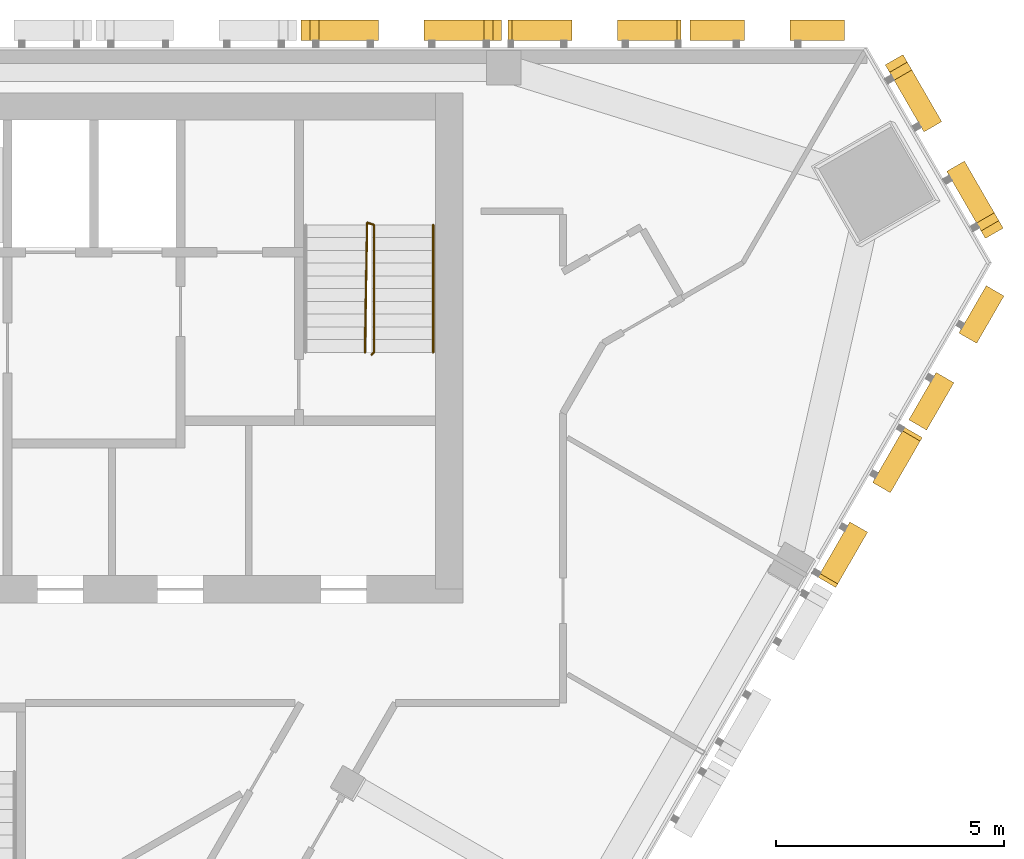
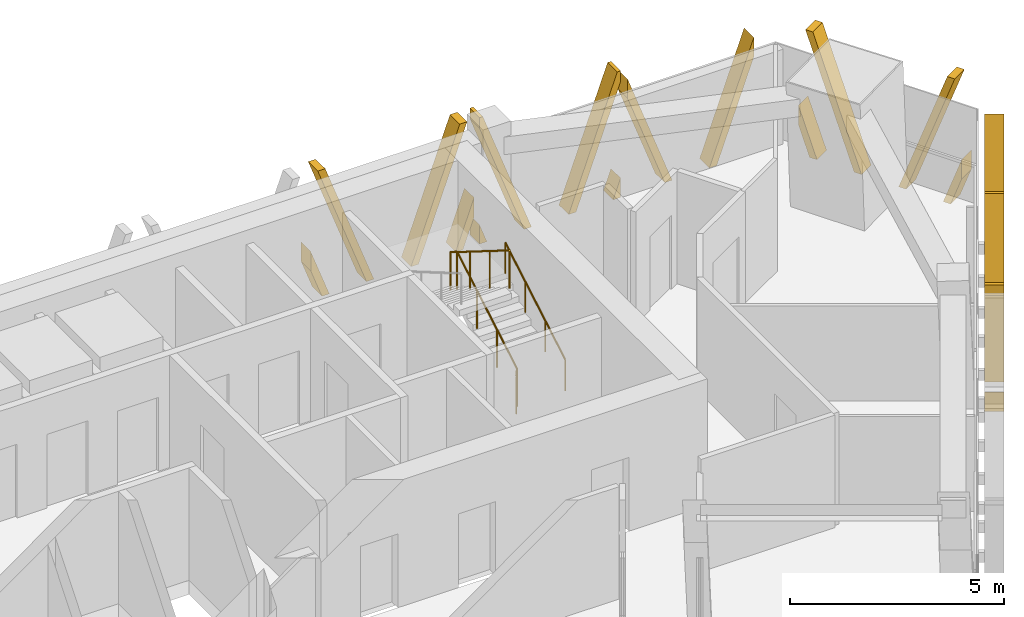
# One storey, part 13 of 14: 6 shading devices, 2 railings.
"""IFC4 building model written with IfcOpenShell, lengths in metres."""

import ifcopenshell
import ifcopenshell.guid

model = None  # the IFC model being written
_history = None  # IfcOwnerHistory: only IFC2X3 demands one
_inside = {}  # id of a spatial element -> (the spatial element, [elements in it])
_under = {}  # id of a project, library or spatial element -> (it, [spatial elements below it])
_declared = {}  # id of a project -> (the project, [libraries it declares])
_typed = {}  # id of a type object -> (the type object, [elements of that type])
_made_of = {}  # id of a material, layer set ... -> (it, [elements and type objects made of it])


def new_model(schema):
    """Start an empty IFC model of exactly this schema.

    Asked for "IFC4X3", IfcOpenShell would pick the latest addendum, in which some entities
    have other attributes; the version numbers below select the first issue.
    IFC2X3 requires an IfcOwnerHistory on every rooted entity: one is made here for all.
    """
    global model, _history
    if schema == "IFC4X3":
        model = ifcopenshell.file(schema_version=(4, 3, 0, 0))
    else:
        model = ifcopenshell.file(schema=schema)
    _inside.clear()
    _under.clear()
    _declared.clear()
    _typed.clear()
    _made_of.clear()
    _history = None
    if model.schema == "IFC2X3":
        org = make("IfcOrganization", Name="unknown")
        user = make(
            "IfcPersonAndOrganization",
            ThePerson=make("IfcPerson", FamilyName="unknown"),
            TheOrganization=org,
        )
        app = make(
            "IfcApplication",
            ApplicationDeveloper=org,
            Version="unknown",
            ApplicationFullName="unknown",
            ApplicationIdentifier="unknown",
        )
        _history = make(
            "IfcOwnerHistory",
            OwningUser=user,
            OwningApplication=app,
            ChangeAction="ADDED",
            CreationDate=0,
        )
    return model


def make(cls, **values):
    """One entity of the class cls with the attributes given. An attribute that is None is left unset."""
    return model.create_entity(
        cls, **{name: value for name, value in values.items() if value is not None}
    )


def rooted(cls, **values):
    """An entity with a GlobalId (a new one), such as an element, a storey or a relation."""
    return make(cls, GlobalId=ifcopenshell.guid.new(), OwnerHistory=_history, **values)


def si_unit(unit_type, name, prefix=None):
    """IfcSIUnit, for example si_unit("LENGTHUNIT", "METRE", prefix="MILLI")."""
    return make("IfcSIUnit", UnitType=unit_type, Prefix=prefix, Name=name)


def assignment(units):
    """IfcUnitAssignment: the units of a project."""
    return None if units is None else make("IfcUnitAssignment", Units=units)


def point(xyz):
    """IfcCartesianPoint."""
    return None if xyz is None else make("IfcCartesianPoint", Coordinates=xyz)


def direction(xyz):
    """IfcDirection."""
    return None if xyz is None else make("IfcDirection", DirectionRatios=xyz)


def frame(location, z_axis=None, x_axis=None):
    """IfcAxis2Placement3D, a coordinate frame: its origin and axes. An axis left out is left unset."""
    return make(
        "IfcAxis2Placement3D",
        Location=point(location),
        Axis=direction(z_axis),
        RefDirection=direction(x_axis),
    )


def frame_2d(location, x_axis=None):
    """IfcAxis2Placement2D, a coordinate frame in the plane: its origin and x axis."""
    return make(
        "IfcAxis2Placement2D", Location=point(location), RefDirection=direction(x_axis)
    )


def origin():
    """The frame at (0, 0, 0) with its axes left unset."""
    return frame((0.0, 0.0, 0.0))


def origin_2d():
    """The frame at (0, 0) in the plane with its x axis left unset."""
    return frame_2d((0.0, 0.0))


def place(relative_to, where):
    """IfcLocalPlacement: puts the frame where relative to a parent placement (None: the world)."""
    return make(
        "IfcLocalPlacement", PlacementRelTo=relative_to, RelativePlacement=where
    )


def context(
    kind, dimensions, precision=None, world=None, true_north=None, identifier=None
):
    """IfcGeometricRepresentationContext, for example the 3D "Model" context."""
    return make(
        "IfcGeometricRepresentationContext",
        ContextIdentifier=identifier,
        ContextType=kind,
        CoordinateSpaceDimension=dimensions,
        Precision=precision,
        WorldCoordinateSystem=world,
        TrueNorth=true_north,
    )


def subcontext(parent, identifier, kind, view, scale=None):
    """IfcGeometricRepresentationSubContext, for example "Body" below "Model"."""
    return make(
        "IfcGeometricRepresentationSubContext",
        ContextIdentifier=identifier,
        ContextType=kind,
        ParentContext=parent,
        TargetScale=scale,
        TargetView=view,
    )


def project(units=None, contexts=None):
    """IfcProject with its units and contexts."""
    return rooted(
        "IfcProject",
        Name="project",
        RepresentationContexts=contexts,
        UnitsInContext=assignment(units),
    )


def spatial(cls, under=None, at=None, **own):
    """A site, building, storey or space (cls), placed at a placement, below another one or the project."""
    s = rooted(cls, ObjectPlacement=at, **own)
    if under is not None:
        _under.setdefault(under.id(), (under, []))[1].append(s)
    return s


def polyline(points):
    """IfcPolyline through the points."""
    return make("IfcPolyline", Points=[point(p) for p in points])


def profile(cls, at=None, kind="AREA", **sizes):
    """A parametric profile (cls). Its sizes go by their IFC names, for example OverallWidth=200.0."""
    return make(cls, ProfileType=kind, Position=at, **sizes)


def circle(**sizes):
    """IfcCircleProfileDef."""
    return profile("IfcCircleProfileDef", **sizes)


def outline(outer, holes=None, kind="AREA"):
    """IfcArbitraryClosedProfileDef: a profile drawn as a closed curve; with holes, ...WithVoids."""
    if holes is None:
        return make("IfcArbitraryClosedProfileDef", ProfileType=kind, OuterCurve=outer)
    return make(
        "IfcArbitraryProfileDefWithVoids",
        ProfileType=kind,
        OuterCurve=outer,
        InnerCurves=holes,
    )


def extrude(swept, where, along, depth):
    """IfcExtrudedAreaSolid: the profile swept, set in the frame where, extruded along a direction by depth."""
    return make(
        "IfcExtrudedAreaSolid",
        SweptArea=swept,
        Position=where,
        ExtrudedDirection=direction(along),
        Depth=depth,
    )


def shape(context_of_items, identifier, shape_type, items):
    """IfcShapeRepresentation: the items that make up one representation, for example the "Body"."""
    return make(
        "IfcShapeRepresentation",
        ContextOfItems=context_of_items,
        RepresentationIdentifier=identifier,
        RepresentationType=shape_type,
        Items=items,
    )


def source(mapping_origin, context_of_items, identifier, shape_type, items):
    """IfcRepresentationMap: a shape defined once, which mapped items show again and again."""
    return make(
        "IfcRepresentationMap",
        MappingOrigin=mapping_origin,
        MappedRepresentation=shape(context_of_items, identifier, shape_type, items),
    )


def transform(
    local_origin,
    x_axis=None,
    y_axis=None,
    z_axis=None,
    scale=None,
    scale2=None,
    scale3=None,
    uniform=True,
):
    """IfcCartesianTransformationOperator3D, or its non-uniform kind. x_axis, y_axis, z_axis: its Axis1, 2, 3."""
    if uniform:
        return make(
            "IfcCartesianTransformationOperator3D",
            Axis1=direction(x_axis),
            Axis2=direction(y_axis),
            LocalOrigin=point(local_origin),
            Scale=scale,
            Axis3=direction(z_axis),
        )
    return make(
        "IfcCartesianTransformationOperator3DnonUniform",
        Axis1=direction(x_axis),
        Axis2=direction(y_axis),
        LocalOrigin=point(local_origin),
        Scale=scale,
        Axis3=direction(z_axis),
        Scale2=scale2,
        Scale3=scale3,
    )


def mapped(mapping_source, mapping_target):
    """IfcMappedItem: shows the shape of a source again, moved by a transform."""
    return make(
        "IfcMappedItem", MappingSource=mapping_source, MappingTarget=mapping_target
    )


def material(Name=None, Category=None):
    """IfcMaterial."""
    return make("IfcMaterial", Name=Name, Category=Category)


def made_of(thing, what):
    """Note that an element or type object is made of a material, layer set ...; save() writes the relation."""
    if what is not None:
        _made_of.setdefault(what.id(), (what, []))[1].append(thing)
    return thing


def type_object(cls, material=None, **own):
    """A type object (cls), such as IfcWallType, which elements share."""
    return made_of(rooted(cls, **own), material)


def element(
    cls,
    number,
    at=None,
    inside=None,
    cuts=None,
    type_object=None,
    material=None,
    context=None,
    identifier="Body",
    shape_type=None,
    held_by="IfcProductDefinitionShape",
    body=None,
    shapes=None,
    **own,
):
    """One element of the class cls, such as IfcWall. Its Tag is "e" and its number.

    at: its placement. inside: the storey or other place that contains it. cuts: it is an
    opening in that element (IfcRelVoidsElement). A single representation is given by context,
    identifier, shape_type and body (its items); several are given by shapes. held_by: the class
    of the entity that holds the representations. save() writes the other relations.
    """
    e = rooted(cls, Tag="e%d" % number, ObjectPlacement=at, **own)
    if body is not None:
        shapes = [shape(context, identifier, shape_type, body)]
    if shapes is not None:
        e.Representation = make(held_by, Representations=shapes)
    if inside is not None:
        _inside.setdefault(inside.id(), (inside, []))[1].append(e)
    if cuts is not None:
        rooted(
            "IfcRelVoidsElement", RelatingBuildingElement=cuts, RelatedOpeningElement=e
        )
    if type_object is not None:
        _typed.setdefault(type_object.id(), (type_object, []))[1].append(e)
    return made_of(e, material)


def aggregate(whole, parts):
    """IfcRelAggregates: a whole, such as a stair, and the parts it consists of."""
    return rooted("IfcRelAggregates", RelatingObject=whole, RelatedObjects=parts)


def save(model, path):
    """Write the relations noted so far, then the file.

    IfcRelAggregates (storeys below a building ...), IfcRelContainedInSpatialStructure (elements
    in a storey), IfcRelDefinesByType, IfcRelAssociatesMaterial and IfcRelDeclares: one each for
    every whole, place, type object, material and project.
    """
    for whole, parts in _under.values():
        aggregate(whole, parts)
    for where, things in _inside.values():
        rooted(
            "IfcRelContainedInSpatialStructure",
            RelatedElements=things,
            RelatingStructure=where,
        )
    for kind, things in _typed.values():
        rooted("IfcRelDefinesByType", RelatedObjects=things, RelatingType=kind)
    for what, things in _made_of.values():
        rooted("IfcRelAssociatesMaterial", RelatedObjects=things, RelatingMaterial=what)
    for by, libraries in _declared.values():
        rooted("IfcRelDeclares", RelatingContext=by, RelatedDefinitions=libraries)
    model.write(path)


model = new_model("IFC4")

# Units and contexts
model_context = context("Model", 3, precision=1e-05, world=origin(), true_north=direction((0.0, 1.0)))
body_context = subcontext(model_context, "Body", "Model", "MODEL_VIEW")
ifc_project = project(units=[si_unit("LENGTHUNIT", "METRE"), si_unit("AREAUNIT", "SQUARE_METRE"), si_unit("VOLUMEUNIT", "CUBIC_METRE"), si_unit("PLANEANGLEUNIT", "RADIAN"), si_unit("MASSUNIT", "GRAM", prefix="KILO")], contexts=[model_context])

# Site, building, storey
site_placement = place(None, origin())
site = spatial("IfcSite", under=ifc_project, at=site_placement, CompositionType="ELEMENT")
building_placement = place(site_placement, origin())
building = spatial("IfcBuilding", under=site, at=building_placement, Name="Altiplano Prism Tower", CompositionType="ELEMENT")
storey_placement = place(building_placement, frame((0.0, 0.0, 239.199951171875)))
storey = spatial("IfcBuildingStorey", under=building, at=storey_placement, Name="L61", CompositionType="ELEMENT", Elevation=239.199951171875)

# Railings
ifc_material_1 = material(Name="Steel S355", Category="steel")
railing_type_1 = type_object("IfcRailingType", Name="Stair guard 1100", PredefinedType="GUARDRAIL", material=ifc_material_1)
railing_1_placement = place(storey_placement, frame((95.60009765625, 98.25, 0.0)))
element("IfcRailing", 1, at=railing_1_placement, inside=storey, type_object=railing_type_1, Name="L61 ST2 stair guard 1", PredefinedType="GUARDRAIL", context=body_context, shape_type="SweptSolid", body=[
    extrude(circle(Radius=0.02392578125, at=origin_2d()), frame((0.0, 0.0, 1.076171875), z_axis=(0.279546231943, 0.280916556609, 0.91811752648), x_axis=(-0.708833529934, 0.705375805398, 0.0)), (0.0, 0.0, 1.0), 0.17822265625),
    extrude(circle(Radius=0.02392578125, at=origin_2d()), frame((0.0498046875, 0.050048828125, 1.23974609375), z_axis=(0.0, 0.863360870873, 0.504586966384), x_axis=(-1.0, 0.0, 0.0)), (0.0, 0.0, 1.0), 3.2431640625),
    extrude(circle(Radius=0.02392578125, at=origin_2d()), frame((0.0498046875, 2.85009765625, 2.8759765625), z_axis=(-0.948991962702, 0.315300261223, 0.0), x_axis=(-0.315300261223, -0.948991962702, 0.0)), (0.0, 0.0, 1.0), 0.157958984375),
    extrude(circle(Radius=0.02392578125, at=origin_2d()), frame((-0.10009765625, 2.89990234375, 2.8759765625), z_axis=(-0.014846418356, -0.845376787675, 0.533964109957), x_axis=(0.999845825584, -0.017559187376, 0.0)), (0.0, 0.0, 1.0), 3.37109375),
    extrude(circle(Radius=0.02099609375, at=origin_2d()), origin(), (0.0, 0.0, 1.0), 1.052001953125),
    extrude(circle(Radius=0.02099609375, at=origin_2d()), frame((0.0498046875, 0.050048828125, 0.16357421875)), (0.0, 0.0, 1.0), 1.052001953125),
    extrude(circle(Radius=0.02099609375, at=origin_2d()), frame((0.0498046875, 0.9833984375, 0.708984375)), (0.0, 0.0, 1.0), 1.052001953125),
    extrude(circle(Radius=0.02099609375, at=origin_2d()), frame((0.0498046875, 1.916748046875, 1.254638671875)), (0.0, 0.0, 1.0), 1.052001953125),
    extrude(circle(Radius=0.02099609375, at=origin_2d()), frame((0.0498046875, 2.85009765625, 1.800048828125)), (0.0, 0.0, 1.0), 1.052001953125),
    extrude(circle(Radius=0.02099609375, at=origin_2d()), frame((-0.10009765625, 2.89990234375, 1.800048828125)), (0.0, 0.0, 1.0), 1.052001953125),
    extrude(circle(Radius=0.02099609375, at=origin_2d()), frame((-0.11669921875, 1.949951171875, 2.400146484375)), (0.0, 0.0, 1.0), 1.052001953125),
    extrude(circle(Radius=0.02099609375, at=origin_2d()), frame((-0.133544921875, 1.0, 3.0)), (0.0, 0.0, 1.0), 1.052001953125),
    extrude(circle(Radius=0.02099609375, at=origin_2d()), frame((-0.150146484375, 0.050048828125, 3.60009765625)), (0.0, 0.0, 1.0), 1.052001953125),
])
railing_type_2 = type_object("IfcRailingType", Name="Stair handrail 900", PredefinedType="HANDRAIL", material=ifc_material_1)
railing_2_placement = place(storey_placement, frame((96.949951171875, 98.300048828125, 0.16357421875)))
element("IfcRailing", 2, at=railing_2_placement, inside=storey, type_object=railing_type_2, Name="L61 ST2 stair handrail 1", PredefinedType="HANDRAIL", context=body_context, shape_type="SweptSolid", body=[
    extrude(circle(Radius=0.02392578125, at=origin_2d()), frame((0.0, 0.0, 0.8759765625), z_axis=(0.0, 0.863360870873, 0.504586966384), x_axis=(-1.0, 0.0, 0.0)), (0.0, 0.0, 1.0), 3.2431640625),
    extrude(circle(Radius=0.02099609375, at=origin_2d()), origin(), (0.0, 0.0, 1.0), 0.851806640625),
    extrude(circle(Radius=0.02099609375, at=origin_2d()), frame((0.0, 0.933349609375, 0.54541015625)), (0.0, 0.0, 1.0), 0.851806640625),
    extrude(circle(Radius=0.02099609375, at=origin_2d()), frame((0.0, 1.86669921875, 1.091064453125)), (0.0, 0.0, 1.0), 0.851806640625),
    extrude(circle(Radius=0.02099609375, at=origin_2d()), frame((0.0, 2.800048828125, 1.636474609375)), (0.0, 0.0, 1.0), 0.851806640625),
])

# Shading devices
ifc_material_2 = material(Name="Warm limestone cast stone", Category="masonry")
shading_device_type_1 = type_object("IfcShadingDeviceType", Name="Stone fin panel, standard unit", PredefinedType="USERDEFINED", material=ifc_material_2)
shared_shape_1 = source(origin(), body_context, "Body", "SweptSolid", [
    extrude(outline(polyline([(-2.199951171875, 1.373779296875), (-2.199951171875, 0.82421875), (-1.89990234375, 0.0), (-1.699951171875, 0.0), (-2.199951171875, 1.373779296875)])), frame((0.0, -0.14990234375, 0.0), z_axis=(0.0, -1.0, 0.0), x_axis=(1.0, 0.0, 0.0)), (0.0, 0.0, 1.0), 0.4501953125),
    extrude(outline(polyline([(-2.01025390625, 3.60009765625), (-0.699951171875, 0.0), (-0.5, 0.0), (-1.810302734375, 3.60009765625), (-2.01025390625, 3.60009765625)])), frame((0.0, -0.14990234375, 0.0), z_axis=(0.0, -1.0, 0.0), x_axis=(1.0, 0.0, 0.0)), (0.0, 0.0, 1.0), 0.4501953125),
    extrude(outline(polyline([(1.810302734375, 3.60009765625), (0.5, 0.0), (0.699951171875, 0.0), (2.01025390625, 3.60009765625), (1.810302734375, 3.60009765625)])), frame((0.0, -0.14990234375, 0.0), z_axis=(0.0, -1.0, 0.0), x_axis=(1.0, 0.0, 0.0)), (0.0, 0.0, 1.0), 0.4501953125),
    extrude(outline(polyline([(2.199951171875, 0.82421875), (2.199951171875, 1.373779296875), (1.699951171875, 0.0), (1.89990234375, 0.0), (2.199951171875, 0.82421875)])), frame((0.0, -0.14990234375, 0.0), z_axis=(0.0, -1.0, 0.0), x_axis=(1.0, 0.0, 0.0)), (0.0, 0.0, 1.0), 0.4501953125),
])
shading_device_1_placement = place(storey_placement, origin())
element("IfcShadingDevice", 3, at=shading_device_1_placement, inside=storey, type_object=shading_device_type_1, Name="Fin L61 north face 3", ObjectType="FIN", PredefinedType="USERDEFINED", context=body_context, shape_type="MappedRepresentation", body=[
    mapped(shared_shape_1, transform((96.25, 105.0, -0.39990234375), x_axis=(-1.0, 0.0, 0.0), y_axis=(0.0, -1.0, 0.0), z_axis=(0.0, 0.0, 1.0))),
])
shading_device_type_2 = type_object("IfcShadingDeviceType", Name="Stone fin panel, chamfer unit", PredefinedType="USERDEFINED", material=ifc_material_2)
shading_device_2_placement = place(storey_placement, origin())
element("IfcShadingDevice", 4, at=shading_device_2_placement, inside=storey, type_object=shading_device_type_2, Name="Fin L61 north-east chamfer 1", ObjectType="FIN", PredefinedType="USERDEFINED", context=body_context, shape_type="MappedRepresentation", body=[
    mapped(shared_shape_1, transform((107.845947265625, 102.634521484375, -0.39990234375), x_axis=(-0.499999932769, 0.8660254426, 0.0), y_axis=(-0.8660254426, -0.499999932769, 0.0), z_axis=(0.0, 0.0, 1.0))),
])
shading_device_type_3 = type_object("IfcShadingDeviceType", Name="Stone fin panel, narrow closing bay", PredefinedType="USERDEFINED", material=ifc_material_2)
shared_shape_2 = source(origin(), body_context, "Body", "SweptSolid", [
    extrude(outline(polyline([(-1.699951171875, 3.297119140625), (-1.699951171875, 2.74755859375), (-0.699951171875, 0.0), (-0.5, 0.0), (-1.699951171875, 3.297119140625)])), frame((0.0, -0.14990234375, 0.0), z_axis=(0.0, -1.0, 0.0), x_axis=(1.0, 0.0, 0.0)), (0.0, 0.0, 1.0), 0.4501953125),
    extrude(outline(polyline([(1.699951171875, 2.74755859375), (1.699951171875, 3.297119140625), (0.5, 0.0), (0.699951171875, 0.0), (1.699951171875, 2.74755859375)])), frame((0.0, -0.14990234375, 0.0), z_axis=(0.0, -1.0, 0.0), x_axis=(1.0, 0.0, 0.0)), (0.0, 0.0, 1.0), 0.4501953125),
])
shading_device_3_placement = place(storey_placement, origin())
element("IfcShadingDevice", 5, at=shading_device_3_placement, inside=storey, type_object=shading_device_type_3, Name="Fin L61 north face 1", ObjectType="FIN", PredefinedType="USERDEFINED", context=body_context, shape_type="MappedRepresentation", body=[
    mapped(shared_shape_2, transform((104.28515625, 105.0, -0.39990234375), x_axis=(-1.0, 0.0, 0.0), y_axis=(0.0, -1.0, 0.0), z_axis=(0.0, 0.0, 1.0))),
])
shading_device_4_placement = place(storey_placement, origin())
element("IfcShadingDevice", 6, at=shading_device_4_placement, inside=storey, type_object=shading_device_type_3, Name="Fin L61 south-east face 10", ObjectType="FIN", PredefinedType="USERDEFINED", context=body_context, shape_type="MappedRepresentation", body=[
    mapped(shared_shape_2, transform((108.1142578125, 98.367919921875, -0.39990234375), x_axis=(0.50000000184, 0.866025402722, 0.0), y_axis=(-0.866025402722, 0.50000000184, 0.0), z_axis=(0.0, 0.0, 1.0))),
])
shared_shape_3 = source(origin(), body_context, "Body", "SweptSolid", [
    extrude(outline(polyline([(-1.89990234375, 3.60009765625), (-1.89990234375, 3.297119140625), (-0.699951171875, 0.0), (-0.5, 0.0), (-1.810302734375, 3.60009765625), (-1.89990234375, 3.60009765625)])), frame((0.0, -0.14990234375, 0.0), z_axis=(0.0, -1.0, 0.0), x_axis=(1.0, 0.0, 0.0)), (0.0, 0.0, 1.0), 0.4501953125),
    extrude(outline(polyline([(-1.89990234375, 0.549560546875), (-1.89990234375, 0.0), (-1.699951171875, 0.0), (-1.89990234375, 0.549560546875)])), frame((0.0, -0.14990234375, 0.0), z_axis=(0.0, -1.0, 0.0), x_axis=(1.0, 0.0, 0.0)), (0.0, 0.0, 1.0), 0.4501953125),
    extrude(outline(polyline([(1.810302734375, 3.60009765625), (0.5, 0.0), (0.699951171875, 0.0), (1.89990234375, 3.297119140625), (1.89990234375, 3.60009765625), (1.810302734375, 3.60009765625)])), frame((0.0, -0.14990234375, 0.0), z_axis=(0.0, -1.0, 0.0), x_axis=(1.0, 0.0, 0.0)), (0.0, 0.0, 1.0), 0.4501953125),
    extrude(outline(polyline([(1.89990234375, 0.0), (1.89990234375, 0.549560546875), (1.699951171875, 0.0), (1.89990234375, 0.0)])), frame((0.0, -0.14990234375, 0.0), z_axis=(0.0, -1.0, 0.0), x_axis=(1.0, 0.0, 0.0)), (0.0, 0.0, 1.0), 0.4501953125),
])
shading_device_5_placement = place(storey_placement, origin())
element("IfcShadingDevice", 7, at=shading_device_5_placement, inside=storey, type_object=shading_device_type_3, Name="Fin L61 north face 2", ObjectType="FIN", PredefinedType="USERDEFINED", context=body_context, shape_type="MappedRepresentation", body=[
    mapped(shared_shape_3, transform((100.4951171875, 105.0, -0.39990234375), x_axis=(-1.0, 0.0, 0.0), y_axis=(0.0, -1.0, 0.0), z_axis=(0.0, 0.0, 1.0))),
])
shading_device_6_placement = place(storey_placement, origin())
element("IfcShadingDevice", 8, at=shading_device_6_placement, inside=storey, type_object=shading_device_type_3, Name="Fin L61 south-east face 9", ObjectType="FIN", PredefinedType="USERDEFINED", context=body_context, shape_type="MappedRepresentation", body=[
    mapped(shared_shape_3, transform((106.218994140625, 95.085693359375, -0.39990234375), x_axis=(0.50000000184, 0.866025402722, 0.0), y_axis=(-0.866025402722, 0.50000000184, 0.0), z_axis=(0.0, 0.0, 1.0))),
])

save(model, "model.ifc")
